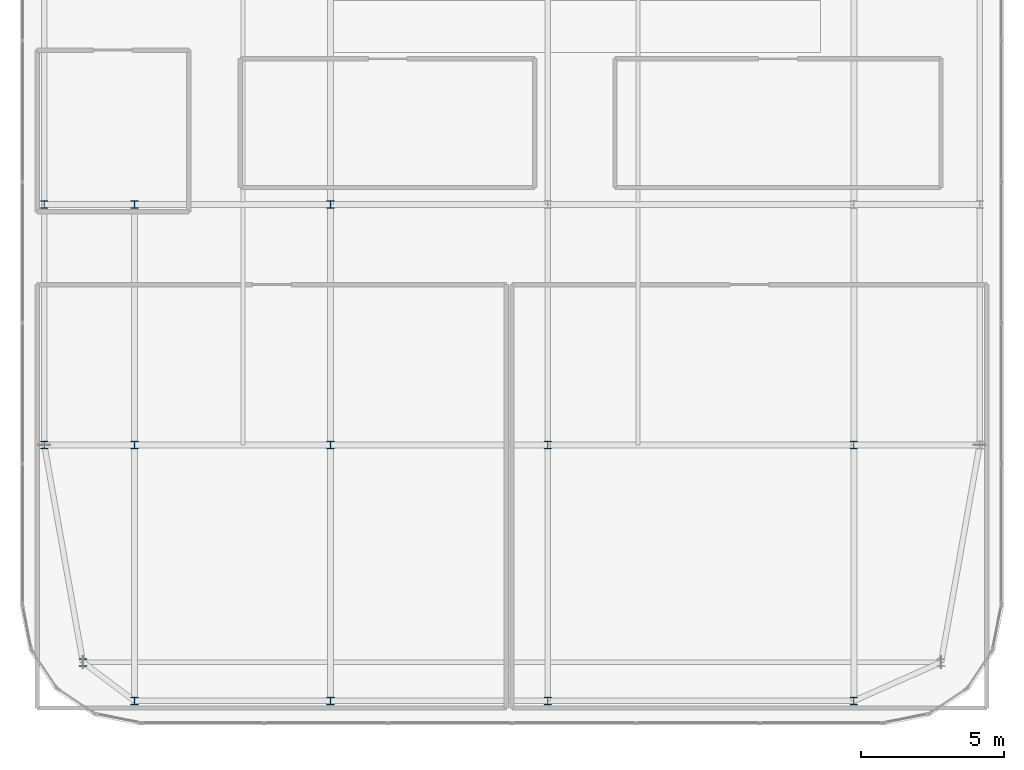
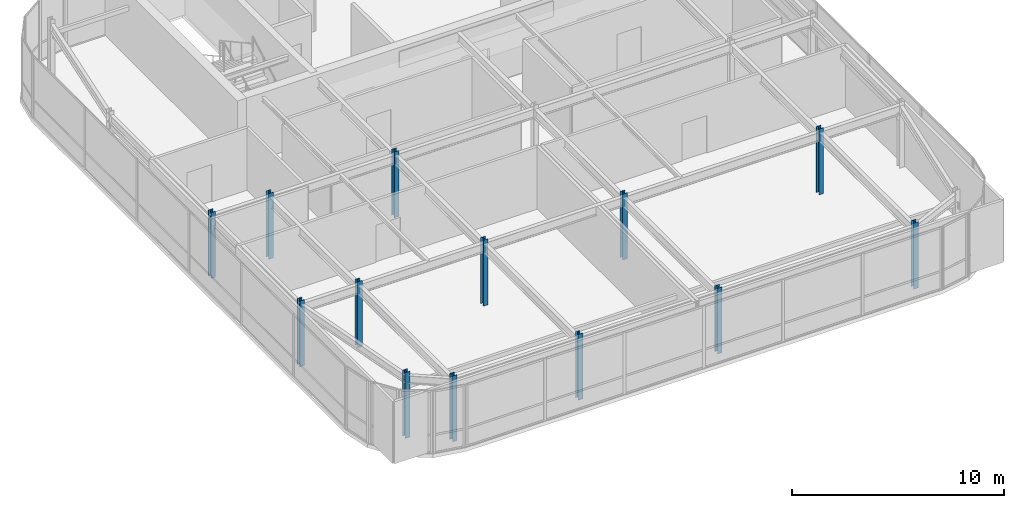
# One storey, part 1 of 36: 13 columns.
"""IFC4 building model written with IfcOpenShell, lengths in metres."""

from ifc_helpers import new_model, si_unit, direction, frame, origin, origin_2d, place, context, subcontext, project, spatial, i_section, extrude, source, transform, mapped, material, material_profile, profile_set, type_object, type_shapes, element, save


model = new_model("IFC4")

# Units and contexts
model_context = context("Model", 3, precision=1e-05, world=origin(), true_north=direction((0.0, 1.0)))
body_context = subcontext(model_context, "Body", "Model", "MODEL_VIEW")
ifc_project = project(units=[si_unit("LENGTHUNIT", "METRE"), si_unit("AREAUNIT", "SQUARE_METRE"), si_unit("VOLUMEUNIT", "CUBIC_METRE"), si_unit("PLANEANGLEUNIT", "RADIAN"), si_unit("MASSUNIT", "GRAM", prefix="KILO")], contexts=[model_context])

# Site, building, storey
site_placement = place(None, origin())
site = spatial("IfcSite", under=ifc_project, at=site_placement, CompositionType="ELEMENT")
building_placement = place(site_placement, origin())
building = spatial("IfcBuilding", under=site, at=building_placement, Name="Tolvann Quenvar Hotel", CompositionType="ELEMENT")
storey_placement = place(building_placement, frame((0.0, 0.0, 298.550048828125)))
storey = spatial("IfcBuildingStorey", under=building, at=storey_placement, Name="L79", CompositionType="ELEMENT", Elevation=298.550048828125)

# Columns
ifc_material = material(Name="Steel Grade 350", Category="steel")
ifc_material_profile = material_profile(ifc_material, i_section(OverallWidth=0.256103515625, OverallDepth=0.260009765625, WebThickness=0.010498046875, FlangeThickness=0.017333984375, FilletRadius=0.013916015625, at=origin_2d()), Name="250UC90")
ifc_profile_set = profile_set([ifc_material_profile], Name="Steel Grade 350")
column_type = type_object("IfcColumnType", Name="COL_250UC90", PredefinedType="COLUMN", material=ifc_profile_set)
shared_shape = source(origin(), body_context, "Body", "SweptSolid", [
    extrude(i_section(OverallWidth=0.256103515625, OverallDepth=0.260009765625, WebThickness=0.010498046875, FlangeThickness=0.017333984375, FilletRadius=0.013916015625, at=origin_2d()), origin(), (0.0, 0.0, 1.0), 3.800048828125),
])
type_shapes(column_type, [shared_shape])
for number, where, z_axis, x_axis, name in (
    (1, (5.800048828125, 8.39990234375, 0.0), (0.0, 0.0, 1.0), (1.0, 0.0, 0.0), "Column B2 (L79)"),
    (2, (4.449951171875, 16.0, 0.0), (0.0, 0.0, 1.0), (1.0, 0.0, 0.0), "Column B4 (L79)"),
    (3, (4.449951171875, 24.39990234375, 0.0), (0.0, 0.0, 1.0), (1.0, 0.0, 0.0), "Column B5 (L79)"),
    (4, (7.60009765625, 7.050048828125, 0.0), (0.0, 0.0, 1.0), (1.0, 0.0, 0.0), "Column C2 (L79)"),
    (5, (7.60009765625, 16.0, 0.0), (0.0, 0.0, 1.0), (1.0, 0.0, 0.0), "Column C4 (L79)"),
    (6, (7.60009765625, 24.39990234375, 0.0), (0.0, 0.0, 1.0), (1.0, 0.0, 0.0), "Column C5 (L79)"),
    (7, (14.449951171875, 7.050048828125, 0.0), (0.0, 0.0, 1.0), (1.0, 0.0, 0.0), "Column D2 (L79)"),
    (8, (14.449951171875, 16.0, 0.0), (0.0, 0.0, 1.0), (1.0, 0.0, 0.0), "Column D4 (L79)"),
    (9, (14.449951171875, 24.39990234375, 0.0), (0.0, 0.0, 1.0), (1.0, 0.0, 0.0), "Column D5 (L79)"),
    (10, (22.050048828125, 7.050048828125, 0.0), (0.0, 0.0, 1.0), (1.0, 0.0, 0.0), "Column E2 (L79)"),
    (11, (22.050048828125, 16.0, 0.0), (0.0, 0.0, 1.0), (1.0, 0.0, 0.0), "Column E4 (L79)"),
    (12, (32.75, 7.050048828125, 0.0), (0.0, 0.0, 1.0), (1.0, 0.0, 0.0), "Column FP2 (L79)"),
    (13, (32.75, 16.0, 0.0), (0.0, 0.0, 1.0), (1.0, 0.0, 0.0), "Column FP4 (L79)"),
):
    element("IfcColumn", number, at=place(storey_placement, frame(where, z_axis=z_axis, x_axis=x_axis)), inside=storey, type_object=column_type, Name=name, PredefinedType="COLUMN", context=body_context, shape_type="MappedRepresentation", body=[
        mapped(shared_shape, transform((0.0, 0.0, 0.0), x_axis=(1.0, 0.0, 0.0), y_axis=(0.0, 1.0, 0.0), z_axis=(0.0, 0.0, 1.0), scale=1.0)),
    ])

save(model, "model.ifc")
